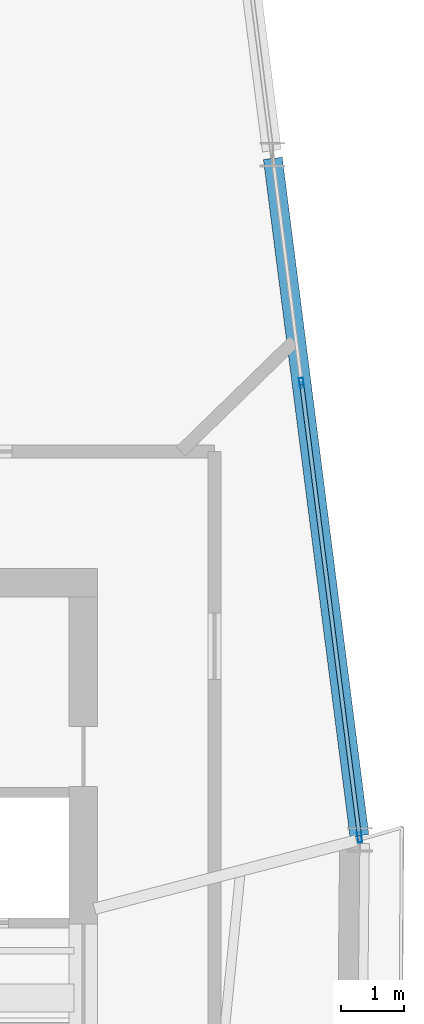
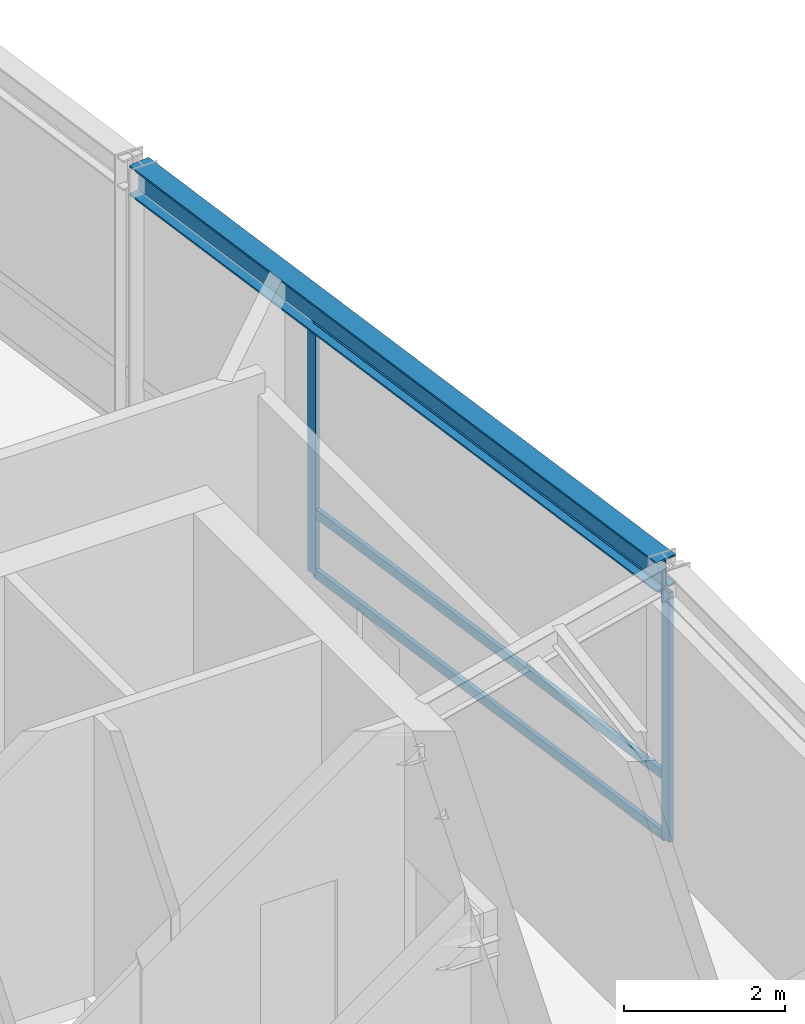
# One storey, part 11 of 23: 5 members, 1 beam, 1 element without a shape of its own.
"""IFC4 building model written with IfcOpenShell, lengths in metres."""

from ifc_helpers import new_model, si_unit, direction, frame, origin, origin_2d, place, context, subcontext, project, spatial, hollow_rectangle, i_section, extrude, source, transform, mapped, material, material_profile, profile_set, type_object, element, aggregate, save


model = new_model("IFC4")

# Units and contexts
model_context = context("Model", 3, precision=1e-05, world=origin(), true_north=direction((0.0, 1.0)))
body_context = subcontext(model_context, "Body", "Model", "MODEL_VIEW")
ifc_project = project(units=[si_unit("LENGTHUNIT", "METRE"), si_unit("AREAUNIT", "SQUARE_METRE"), si_unit("VOLUMEUNIT", "CUBIC_METRE"), si_unit("PLANEANGLEUNIT", "RADIAN"), si_unit("MASSUNIT", "GRAM", prefix="KILO")], contexts=[model_context])

# Site, building, storey
site_placement = place(None, origin())
site = spatial("IfcSite", under=ifc_project, at=site_placement, CompositionType="ELEMENT")
building_placement = place(site_placement, origin())
building = spatial("IfcBuilding", under=site, at=building_placement, Name="Olszyna Solenne Hotel", CompositionType="ELEMENT")
storey_placement = place(building_placement, frame((0.0, 0.0, 290.5)))
storey = spatial("IfcBuildingStorey", under=building, at=storey_placement, Name="L77", CompositionType="ELEMENT", Elevation=290.5)

# Beam
ifc_material_1 = material(Name="Steel S355J2", Category="steel")
ifc_material_profile_1 = material_profile(ifc_material_1, i_section(OverallWidth=0.300048828125, OverallDepth=0.449951171875, WebThickness=0.013916015625, FlangeThickness=0.02587890625, at=origin_2d()), Name="HEB 450", Category="load-bearing")
ifc_profile_set_1 = profile_set([ifc_material_profile_1], Name="Steel S355J2")
beam_type = type_object("IfcBeamType", Name="BM-S4", PredefinedType="BEAM", material=ifc_profile_set_1)
shared_shape_1 = source(origin(), body_context, "Body", "SweptSolid", [
    extrude(i_section(OverallWidth=0.300048828125, OverallDepth=0.449951171875, WebThickness=0.013916015625, FlangeThickness=0.02587890625, at=origin_2d()), origin(), (0.0, 0.0, 1.0), 10.810302734375),
])
beam_placement = place(storey_placement, frame((50.494384765625, 29.916259765625, 4.014892578125), z_axis=(-0.126786019095, 0.991930090965, 0.0), x_axis=(-0.991930090965, -0.126786019095, 0.0)))
element("IfcBeam", 1, at=beam_placement, inside=storey, type_object=beam_type, Name="Perimeter spandrel beam BM-S4 B-L77-2262", PredefinedType="BEAM", context=body_context, shape_type="MappedRepresentation", body=[
    mapped(shared_shape_1, transform((0.0, 0.0, 0.0), x_axis=(1.0, 0.0, 0.0), y_axis=(0.0, 1.0, 0.0), z_axis=(0.0, 0.0, 1.0), scale=1.0)),
])

# Curtain wall, members
ifc_material_2 = material(Name="Anodised bronze aluminium", Category="aluminium")
curtain_wall_type = type_object("IfcCurtainWallType", Name="CW-SYS-7", PredefinedType="NOTDEFINED", material=ifc_material_2)
curtain_wall_placement = place(storey_placement, origin())
curtain_wall = element("IfcCurtainWall", 2, at=curtain_wall_placement, inside=storey, type_object=curtain_wall_type, Name="Unitised curtain wall CW-SYS-7 CW-L77-03", PredefinedType="NOTDEFINED")
ifc_material_profile_2 = material_profile(ifc_material_2, hollow_rectangle(XDim=0.06494140625, YDim=0.159912109375, WallThickness=0.00390625, at=origin_2d()), Name="MULL 160x65x4", Category="load-bearing")
ifc_profile_set_2 = profile_set([ifc_material_profile_2], Name="Anodised bronze aluminium")
member_type_1 = type_object("IfcMemberType", Name="CW-M3", PredefinedType="MULLION", material=ifc_profile_set_2)
shared_shape_2 = source(origin(), body_context, "Body", "SweptSolid", [
    extrude(hollow_rectangle(XDim=0.06494140625, YDim=0.159912109375, WallThickness=0.00390625, at=origin_2d()), origin(), (0.0, 0.0, 1.0), 3.781982421875),
])
member_1_placement = place(storey_placement, frame((49.578125, 37.084716796875, 0.0), z_axis=(0.0, 0.0, 1.0), x_axis=(0.9919296314, 0.126789614523, 0.0)))
member_1 = element("IfcMember", 3, at=member_1_placement, type_object=member_type_1, Name="Curtain-wall mullion CW-M3 CM-L77-03-03", PredefinedType="MULLION", context=body_context, shape_type="MappedRepresentation", body=[
    mapped(shared_shape_2, transform((0.0, 0.0, 0.0), x_axis=(1.0, 0.0, 0.0), y_axis=(0.0, 1.0, 0.0), z_axis=(0.0, 0.0, 1.0), scale=1.0)),
])
member_2_placement = place(storey_placement, frame((50.498046875, 29.888916015625, 0.0), z_axis=(0.0, 0.0, 1.0), x_axis=(0.9919296314, 0.126789614523, 0.0)))
member_2 = element("IfcMember", 4, at=member_2_placement, type_object=member_type_1, Name="Curtain-wall mullion CW-M3 CM-L77-03-04", PredefinedType="MULLION", context=body_context, shape_type="MappedRepresentation", body=[
    mapped(shared_shape_2, transform((0.0, 0.0, 0.0), x_axis=(1.0, 0.0, 0.0), y_axis=(0.0, 1.0, 0.0), z_axis=(0.0, 0.0, 1.0), scale=1.0)),
])
ifc_material_profile_3 = material_profile(ifc_material_2, hollow_rectangle(XDim=0.06494140625, YDim=0.139892578125, WallThickness=0.00390625, at=origin_2d()), Name="TRAN 140x65x4", Category="load-bearing")
ifc_profile_set_3 = profile_set([ifc_material_profile_3], Name="Anodised bronze aluminium")
member_type_2 = type_object("IfcMemberType", Name="CW-T2", PredefinedType="USERDEFINED", material=ifc_profile_set_3)
shared_shape_3 = source(origin(), body_context, "Body", "SweptSolid", [
    extrude(hollow_rectangle(XDim=0.06494140625, YDim=0.139892578125, WallThickness=0.00390625, at=origin_2d()), origin(), (0.0, 0.0, 1.0), 7.189453125),
])
member_3_placement = place(storey_placement, frame((49.582275390625, 37.052490234375, 0.032470703125), z_axis=(0.126801087556, -0.991928164836, 0.0), x_axis=(0.991928164836, 0.126801087556, 0.0)))
member_3 = element("IfcMember", 5, at=member_3_placement, type_object=member_type_2, Name="Curtain-wall transom CW-T2 CT-L77-03-07", ObjectType="TRANSOM", PredefinedType="USERDEFINED", context=body_context, shape_type="MappedRepresentation", body=[
    mapped(shared_shape_3, transform((0.0, 0.0, 0.0), x_axis=(1.0, 0.0, 0.0), y_axis=(0.0, 1.0, 0.0), z_axis=(0.0, 0.0, 1.0), scale=1.0)),
])
member_4_placement = place(storey_placement, frame((49.582275390625, 37.052490234375, 0.949951171875), z_axis=(0.126801087556, -0.991928164836, 0.0), x_axis=(0.991928164836, 0.126801087556, 0.0)))
member_4 = element("IfcMember", 6, at=member_4_placement, type_object=member_type_2, Name="Curtain-wall transom CW-T2 CT-L77-03-08", ObjectType="TRANSOM", PredefinedType="USERDEFINED", context=body_context, shape_type="MappedRepresentation", body=[
    mapped(shared_shape_3, transform((0.0, 0.0, 0.0), x_axis=(1.0, 0.0, 0.0), y_axis=(0.0, 1.0, 0.0), z_axis=(0.0, 0.0, 1.0), scale=1.0)),
])
member_5_placement = place(storey_placement, frame((49.582275390625, 37.052490234375, 3.74951171875), z_axis=(0.126801087556, -0.991928164836, 0.0), x_axis=(0.991928164836, 0.126801087556, 0.0)))
member_5 = element("IfcMember", 7, at=member_5_placement, type_object=member_type_2, Name="Curtain-wall transom CW-T2 CT-L77-03-09", ObjectType="TRANSOM", PredefinedType="USERDEFINED", context=body_context, shape_type="MappedRepresentation", body=[
    mapped(shared_shape_3, transform((0.0, 0.0, 0.0), x_axis=(1.0, 0.0, 0.0), y_axis=(0.0, 1.0, 0.0), z_axis=(0.0, 0.0, 1.0), scale=1.0)),
])
aggregate(curtain_wall, [member_1, member_2, member_3, member_4, member_5])

save(model, "model.ifc")
